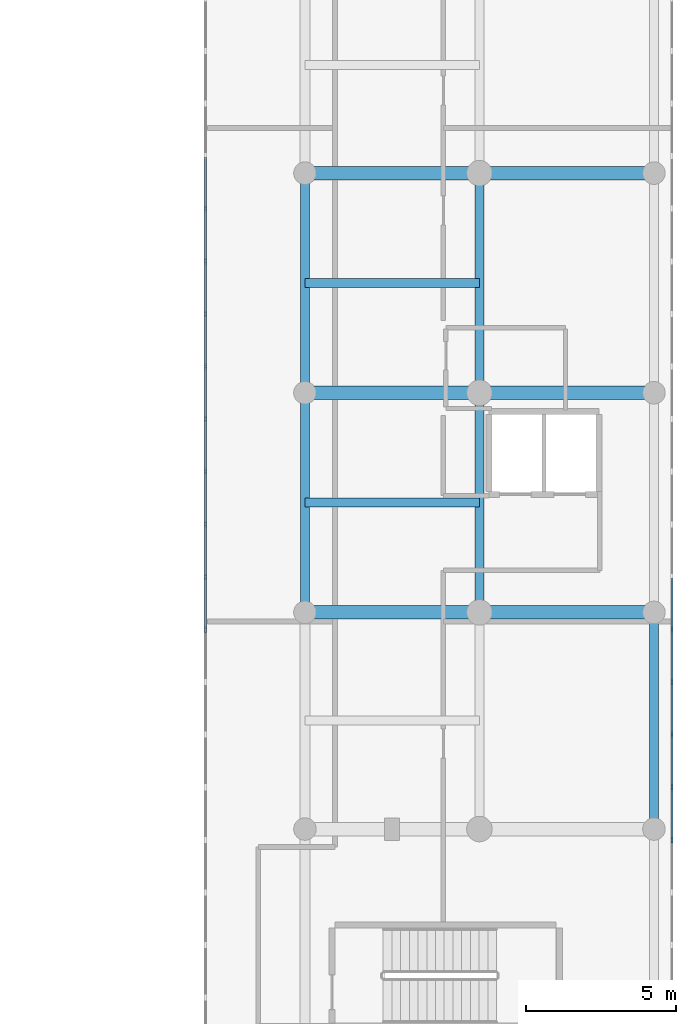
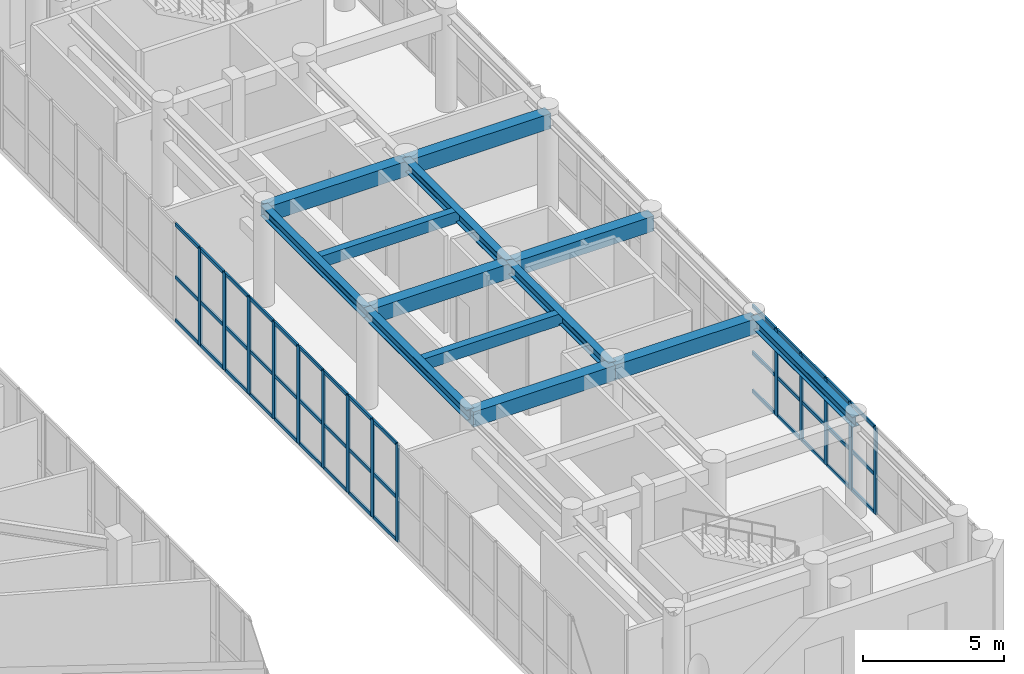
# One storey, part 7 of 26: 56 members, 13 beams, 2 elements without a shape of their own.
"""IFC4 building model written with IfcOpenShell, lengths in metres."""

from ifc_helpers import new_model, si_unit, direction, frame, origin, origin_with_axes, origin_2d, place, context, subcontext, project, spatial, rectangle, i_section, extrude, source, transform, mapped, material, layer, layer_set, material_profile, profile_set, type_object, element, aggregate, save


model = new_model("IFC4")

# Units and contexts
model_context = context("Model", 3, precision=1e-05, world=origin(), true_north=direction((0.0, 1.0)))
body_context = subcontext(model_context, "Body", "Model", "MODEL_VIEW")
ifc_project = project(units=[si_unit("LENGTHUNIT", "METRE"), si_unit("AREAUNIT", "SQUARE_METRE"), si_unit("VOLUMEUNIT", "CUBIC_METRE"), si_unit("PLANEANGLEUNIT", "RADIAN"), si_unit("MASSUNIT", "GRAM", prefix="KILO")], contexts=[model_context])

# Site, building, storey
site_placement = place(None, origin())
site = spatial("IfcSite", under=ifc_project, at=site_placement, CompositionType="ELEMENT")
building_placement = place(site_placement, origin())
building = spatial("IfcBuilding", under=site, at=building_placement, Name="Karkom Vertical University and Central Library", CompositionType="ELEMENT")
storey_placement = place(building_placement, frame((0.0, 0.0, 4.5)))
storey = spatial("IfcBuildingStorey", under=building, at=storey_placement, Name="L01", CompositionType="ELEMENT", Elevation=4.5)

# Beams
ifc_material_1 = material(Name="Concrete C40/50", Category="concrete")
ifc_material_profile_1 = material_profile(ifc_material_1, rectangle(XDim=0.449951171875, YDim=0.64990234375, at=origin_2d()), Name="RCB-450x650")
ifc_profile_set_1 = profile_set([ifc_material_profile_1], Name="Concrete C40/50")
beam_type_1 = type_object("IfcBeamType", Name="STR-BM-BG-4", PredefinedType="USERDEFINED", material=ifc_profile_set_1)
shared_shape_1 = source(origin_with_axes(), body_context, "Body", "SweptSolid", [
    extrude(rectangle(XDim=0.449951171875, YDim=0.64990234375, at=origin_2d()), origin(), (0.0, 0.0, 1.0), 5.7998046875),
])
for number, where, z_axis, x_axis, name in (
    (1, (69.60009765625, 19.199951171875, 3.875), (1.0, 0.0, 0.0), (0.0, 1.0, 0.0), "Level 01 Library Transverse Girder 3.1"),
    (2, (69.60009765625, 26.5, 3.875), (1.0, 0.0, 0.0), (0.0, 1.0, 0.0), "Level 01 Library Transverse Girder 4.1"),
    (3, (69.60009765625, 33.800048828125, 3.875), (1.0, 0.0, 0.0), (0.0, 1.0, 0.0), "Level 01 Library Transverse Girder 5.1"),
):
    element("IfcBeam", number, at=place(storey_placement, frame(where, z_axis=z_axis, x_axis=x_axis)), inside=storey, type_object=beam_type_1, Name=name, ObjectType="GIRDER", PredefinedType="USERDEFINED", context=body_context, shape_type="MappedRepresentation", body=[
        mapped(shared_shape_1, transform((0.0, 0.0, 0.0), scale=1.0)),
    ])
shared_shape_2 = source(origin_with_axes(), body_context, "Body", "SweptSolid", [
    extrude(rectangle(XDim=0.449951171875, YDim=0.64990234375, at=origin_2d()), origin(), (0.0, 0.0, 1.0), 5.800048828125),
])
for number, where, z_axis, x_axis, name in (
    (4, (75.39990234375, 19.199951171875, 3.875), (1.0, 0.0, 0.0), (0.0, 1.0, 0.0), "Level 01 Library Transverse Girder 3.2"),
    (5, (75.39990234375, 26.5, 3.875), (1.0, 0.0, 0.0), (0.0, 1.0, 0.0), "Level 01 Library Transverse Girder 4.2"),
    (6, (75.39990234375, 33.800048828125, 3.875), (1.0, 0.0, 0.0), (0.0, 1.0, 0.0), "Level 01 Library Transverse Girder 5.2"),
):
    element("IfcBeam", number, at=place(storey_placement, frame(where, z_axis=z_axis, x_axis=x_axis)), inside=storey, type_object=beam_type_1, Name=name, ObjectType="GIRDER", PredefinedType="USERDEFINED", context=body_context, shape_type="MappedRepresentation", body=[
        mapped(shared_shape_2, transform((0.0, 0.0, 0.0), scale=1.0)),
    ])
ifc_material_2 = material(Name="Steel S355", Category="steel")
ifc_material_profile_2 = material_profile(ifc_material_2, i_section(OverallWidth=0.300048828125, OverallDepth=0.449951171875, WebThickness=0.013916015625, FlangeThickness=0.02587890625, FilletRadius=0.027099609375, at=origin_2d()), Name="HE 450 B")
ifc_profile_set_2 = profile_set([ifc_material_profile_2], Name="Steel S355")
beam_type_2 = type_object("IfcBeamType", Name="STR-BM-SB-HE450", PredefinedType="BEAM", material=ifc_profile_set_2)
shared_shape_3 = source(origin_with_axes(), body_context, "Body", "SweptSolid", [
    extrude(i_section(OverallWidth=0.300048828125, OverallDepth=0.449951171875, WebThickness=0.013916015625, FlangeThickness=0.02587890625, FilletRadius=0.027099609375, at=origin_2d()), origin(), (0.0, 0.0, 1.0), 7.199951171875),
])
beam_placement = place(storey_placement, frame((81.199951171875, 12.0, 3.97509765625), z_axis=(0.0, 1.0, 0.0), x_axis=(-1.0, 0.0, 0.0)))
element("IfcBeam", 7, at=beam_placement, inside=storey, type_object=beam_type_2, Name="Level 01 Library Longitudinal Beam 3.2", PredefinedType="BEAM", context=body_context, shape_type="MappedRepresentation", body=[
    mapped(shared_shape_3, transform((0.0, 0.0, 0.0), scale=1.0)),
])
shared_shape_4 = source(origin_with_axes(), body_context, "Body", "SweptSolid", [
    extrude(i_section(OverallWidth=0.300048828125, OverallDepth=0.449951171875, WebThickness=0.013916015625, FlangeThickness=0.02587890625, FilletRadius=0.027099609375, at=origin_2d()), origin(), (0.0, 0.0, 1.0), 7.300048828125),
])
for number, where, z_axis, x_axis, name in (
    (8, (69.60009765625, 19.199951171875, 3.97509765625), (0.0, 1.0, 0.0), (-1.0, 0.0, 0.0), "Level 01 Library Longitudinal Beam 1.3"),
    (9, (69.60009765625, 26.5, 3.97509765625), (0.0, 1.0, 0.0), (-1.0, 0.0, 0.0), "Level 01 Library Longitudinal Beam 1.4"),
    (10, (75.39990234375, 19.199951171875, 3.97509765625), (0.0, 1.0, 0.0), (-1.0, 0.0, 0.0), "Level 01 Library Longitudinal Beam 2.3"),
    (11, (75.39990234375, 26.5, 3.97509765625), (0.0, 1.0, 0.0), (-1.0, 0.0, 0.0), "Level 01 Library Longitudinal Beam 2.4"),
):
    element("IfcBeam", number, at=place(storey_placement, frame(where, z_axis=z_axis, x_axis=x_axis)), inside=storey, type_object=beam_type_2, Name=name, PredefinedType="BEAM", context=body_context, shape_type="MappedRepresentation", body=[
        mapped(shared_shape_4, transform((0.0, 0.0, 0.0), scale=1.0)),
    ])
ifc_material_profile_3 = material_profile(ifc_material_1, rectangle(XDim=0.300048828125, YDim=0.5, at=origin_2d()), Name="RCJ-300x500")
ifc_profile_set_3 = profile_set([ifc_material_profile_3], Name="Concrete C40/50")
beam_type_3 = type_object("IfcBeamType", Name="STR-BM-JS-1", PredefinedType="JOIST", material=ifc_profile_set_3)
shared_shape_5 = source(origin_with_axes(), body_context, "Body", "SweptSolid", [
    extrude(rectangle(XDim=0.300048828125, YDim=0.5, at=origin_2d()), origin(), (0.0, 0.0, 1.0), 5.7998046875),
])
for number, where, z_axis, x_axis, name in (
    (12, (69.60009765625, 22.85009765625, 3.949951171875), (1.0, 0.0, 0.0), (0.0, 1.0, 0.0), "Level 01 Library Reading Coffered Joist 3"),
    (13, (69.60009765625, 30.14990234375, 3.949951171875), (1.0, 0.0, 0.0), (0.0, 1.0, 0.0), "Level 01 Library Reading Coffered Joist 4"),
):
    element("IfcBeam", number, at=place(storey_placement, frame(where, z_axis=z_axis, x_axis=x_axis)), inside=storey, type_object=beam_type_3, Name=name, PredefinedType="JOIST", context=body_context, shape_type="MappedRepresentation", body=[
        mapped(shared_shape_5, transform((0.0, 0.0, 0.0), scale=1.0)),
    ])

# Curtain wall, members
ifc_material_3 = material(Name="Aluminium curtain-wall framing and low-E IGU", Category="aluminium")
ifc_layer = layer(ifc_material_3, 0.199951171875)
ifc_layer_set = layer_set([ifc_layer], Name="Aluminium curtain-wall framing and low-E IGU")
curtain_wall_type = type_object("IfcCurtainWallType", Name="ENV-CW-1", PredefinedType="USERDEFINED", material=ifc_layer_set)
curtain_wall_1_placement = place(storey_placement, origin())
curtain_wall_1 = element("IfcCurtainWall", 14, at=curtain_wall_1_placement, inside=storey, type_object=curtain_wall_type, Name="Level 01 CW-1 Curtain Wall Level 01-CW-1-LIB-3", ObjectType="STICK MULLION GLAZING", PredefinedType="USERDEFINED")
ifc_material_4 = material(Name="Anodised Aluminium 6063-T6", Category="aluminium")
ifc_material_profile_4 = material_profile(ifc_material_4, rectangle(XDim=0.070068359375, YDim=0.199951171875, at=origin_2d()), Name="ALU-M70x200")
ifc_profile_set_4 = profile_set([ifc_material_profile_4], Name="Anodised Aluminium 6063-T6")
member_type_1 = type_object("IfcMemberType", Name="ENV-MEM-ALU-M70x200", PredefinedType="MULLION", material=ifc_profile_set_4)
shared_shape_6 = source(origin_with_axes(), body_context, "Body", "SweptSolid", [
    extrude(rectangle(XDim=0.070068359375, YDim=0.199951171875, at=origin_2d()), origin(), (0.0, 0.0, 1.0), 3.75),
])
member_1_placement = place(storey_placement, frame((81.800048828125, 11.640625, 0.0), z_axis=(0.0, 0.0, 1.0), x_axis=(-1.0, 0.0, 0.0)))
member_1 = element("IfcMember", 15, at=member_1_placement, type_object=member_type_1, Name="CW-1 mullion 6", PredefinedType="MULLION", context=body_context, shape_type="MappedRepresentation", body=[
    mapped(shared_shape_6, transform((0.0, 0.0, 0.0), scale=1.0)),
])
member_2_placement = place(storey_placement, frame((81.800048828125, 13.388916015625, 0.0), z_axis=(0.0, 0.0, 1.0), x_axis=(-1.0, 0.0, 0.0)))
member_2 = element("IfcMember", 16, at=member_2_placement, type_object=member_type_1, Name="CW-1 mullion 7", PredefinedType="MULLION", context=body_context, shape_type="MappedRepresentation", body=[
    mapped(shared_shape_6, transform((0.0, 0.0, 0.0), scale=1.0)),
])
member_3_placement = place(storey_placement, frame((81.800048828125, 15.136962890625, 0.0), z_axis=(0.0, 0.0, 1.0), x_axis=(-1.0, 0.0, 0.0)))
member_3 = element("IfcMember", 17, at=member_3_placement, type_object=member_type_1, Name="CW-1 mullion 8", PredefinedType="MULLION", context=body_context, shape_type="MappedRepresentation", body=[
    mapped(shared_shape_6, transform((0.0, 0.0, 0.0), scale=1.0)),
])
member_4_placement = place(storey_placement, frame((81.800048828125, 16.88525390625, 0.0), z_axis=(0.0, 0.0, 1.0), x_axis=(-1.0, 0.0, 0.0)))
member_4 = element("IfcMember", 18, at=member_4_placement, type_object=member_type_1, Name="CW-1 mullion 9", PredefinedType="MULLION", context=body_context, shape_type="MappedRepresentation", body=[
    mapped(shared_shape_6, transform((0.0, 0.0, 0.0), scale=1.0)),
])
member_5_placement = place(storey_placement, frame((81.800048828125, 18.63330078125, 0.0), z_axis=(0.0, 0.0, 1.0), x_axis=(-1.0, 0.0, 0.0)))
member_5 = element("IfcMember", 19, at=member_5_placement, type_object=member_type_1, Name="CW-1 mullion 10", PredefinedType="MULLION", context=body_context, shape_type="MappedRepresentation", body=[
    mapped(shared_shape_6, transform((0.0, 0.0, 0.0), scale=1.0)),
])

curtain_wall_2_placement = place(storey_placement, origin())
curtain_wall_2 = element("IfcCurtainWall", 20, at=curtain_wall_2_placement, inside=storey, type_object=curtain_wall_type, Name="Level 01 CW-1 Curtain Wall Level 01-CW-1-LIB-7", ObjectType="STICK MULLION GLAZING", PredefinedType="USERDEFINED")
shared_shape_7 = source(origin_with_axes(), body_context, "Body", "SweptSolid", [
    extrude(rectangle(XDim=0.070068359375, YDim=0.199951171875, at=origin_2d()), origin(), (0.0, 0.0, 1.0), 4.199951171875),
])
member_6_placement = place(storey_placement, frame((66.300048828125, 32.618408203125, 0.0), z_axis=(0.0, 0.0, 1.0), x_axis=(1.0, 0.0, 0.0)))
member_6 = element("IfcMember", 21, at=member_6_placement, type_object=member_type_1, Name="CW-1 mullion 11", PredefinedType="MULLION", context=body_context, shape_type="MappedRepresentation", body=[
    mapped(shared_shape_7, transform((0.0, 0.0, 0.0), scale=1.0)),
])
member_7_placement = place(storey_placement, frame((66.300048828125, 30.870361328125, 0.0), z_axis=(0.0, 0.0, 1.0), x_axis=(1.0, 0.0, 0.0)))
member_7 = element("IfcMember", 22, at=member_7_placement, type_object=member_type_1, Name="CW-1 mullion 12", PredefinedType="MULLION", context=body_context, shape_type="MappedRepresentation", body=[
    mapped(shared_shape_7, transform((0.0, 0.0, 0.0), scale=1.0)),
])
member_8_placement = place(storey_placement, frame((66.300048828125, 29.122314453125, 0.0), z_axis=(0.0, 0.0, 1.0), x_axis=(1.0, 0.0, 0.0)))
member_8 = element("IfcMember", 23, at=member_8_placement, type_object=member_type_1, Name="CW-1 mullion 13", PredefinedType="MULLION", context=body_context, shape_type="MappedRepresentation", body=[
    mapped(shared_shape_7, transform((0.0, 0.0, 0.0), scale=1.0)),
])
member_9_placement = place(storey_placement, frame((66.300048828125, 27.3740234375, 0.0), z_axis=(0.0, 0.0, 1.0), x_axis=(1.0, 0.0, 0.0)))
member_9 = element("IfcMember", 24, at=member_9_placement, type_object=member_type_1, Name="CW-1 mullion 14", PredefinedType="MULLION", context=body_context, shape_type="MappedRepresentation", body=[
    mapped(shared_shape_7, transform((0.0, 0.0, 0.0), scale=1.0)),
])
member_10_placement = place(storey_placement, frame((66.300048828125, 25.6259765625, 0.0), z_axis=(0.0, 0.0, 1.0), x_axis=(1.0, 0.0, 0.0)))
member_10 = element("IfcMember", 25, at=member_10_placement, type_object=member_type_1, Name="CW-1 mullion 15", PredefinedType="MULLION", context=body_context, shape_type="MappedRepresentation", body=[
    mapped(shared_shape_7, transform((0.0, 0.0, 0.0), scale=1.0)),
])
member_11_placement = place(storey_placement, frame((66.300048828125, 23.877685546875, 0.0), z_axis=(0.0, 0.0, 1.0), x_axis=(1.0, 0.0, 0.0)))
member_11 = element("IfcMember", 26, at=member_11_placement, type_object=member_type_1, Name="CW-1 mullion 16", PredefinedType="MULLION", context=body_context, shape_type="MappedRepresentation", body=[
    mapped(shared_shape_7, transform((0.0, 0.0, 0.0), scale=1.0)),
])
member_12_placement = place(storey_placement, frame((66.300048828125, 22.129638671875, 0.0), z_axis=(0.0, 0.0, 1.0), x_axis=(1.0, 0.0, 0.0)))
member_12 = element("IfcMember", 27, at=member_12_placement, type_object=member_type_1, Name="CW-1 mullion 17", PredefinedType="MULLION", context=body_context, shape_type="MappedRepresentation", body=[
    mapped(shared_shape_7, transform((0.0, 0.0, 0.0), scale=1.0)),
])
member_13_placement = place(storey_placement, frame((66.300048828125, 20.381591796875, 0.0), z_axis=(0.0, 0.0, 1.0), x_axis=(1.0, 0.0, 0.0)))
member_13 = element("IfcMember", 28, at=member_13_placement, type_object=member_type_1, Name="CW-1 mullion 18", PredefinedType="MULLION", context=body_context, shape_type="MappedRepresentation", body=[
    mapped(shared_shape_7, transform((0.0, 0.0, 0.0), scale=1.0)),
])
member_14_placement = place(storey_placement, frame((66.300048828125, 18.63330078125, 0.0), z_axis=(0.0, 0.0, 1.0), x_axis=(1.0, 0.0, 0.0)))
member_14 = element("IfcMember", 29, at=member_14_placement, type_object=member_type_1, Name="CW-1 mullion 19", PredefinedType="MULLION", context=body_context, shape_type="MappedRepresentation", body=[
    mapped(shared_shape_7, transform((0.0, 0.0, 0.0), scale=1.0)),
])

# Member
ifc_material_profile_5 = material_profile(ifc_material_4, rectangle(XDim=0.070068359375, YDim=0.14990234375, at=origin_2d()), Name="ALU-T70x150")
ifc_profile_set_5 = profile_set([ifc_material_profile_5], Name="Anodised Aluminium 6063-T6")
member_type_2 = type_object("IfcMemberType", Name="ENV-MEM-ALU-T70x150", PredefinedType="USERDEFINED", material=ifc_profile_set_5)
shared_shape_8 = source(origin_with_axes(), body_context, "Body", "SweptSolid", [
    extrude(rectangle(XDim=0.070068359375, YDim=0.14990234375, at=origin_2d()), origin(), (0.0, 0.0, 1.0), 1.67822265625),
])
member_15_placement = place(storey_placement, frame((81.800048828125, 11.67578125, 0.034912109375), z_axis=(0.0, 1.0, 0.0), x_axis=(-1.0, 0.0, 0.0)))
member_15 = element("IfcMember", 30, at=member_15_placement, type_object=member_type_2, Name="CW-1 transom 6.1", ObjectType="TRANSOM", PredefinedType="USERDEFINED", context=body_context, shape_type="MappedRepresentation", body=[
    mapped(shared_shape_8, transform((0.0, 0.0, 0.0), scale=1.0)),
])

member_16_placement = place(storey_placement, frame((81.800048828125, 11.67578125, 1.6875), z_axis=(0.0, 1.0, 0.0), x_axis=(-1.0, 0.0, 0.0)))
member_16 = element("IfcMember", 31, at=member_16_placement, type_object=member_type_2, Name="CW-1 transom 6.2", ObjectType="TRANSOM", PredefinedType="USERDEFINED", context=body_context, shape_type="MappedRepresentation", body=[
    mapped(shared_shape_8, transform((0.0, 0.0, 0.0), scale=1.0)),
])

member_17_placement = place(storey_placement, frame((81.800048828125, 11.67578125, 3.715087890625), z_axis=(0.0, 1.0, 0.0), x_axis=(-1.0, 0.0, 0.0)))
member_17 = element("IfcMember", 32, at=member_17_placement, type_object=member_type_2, Name="CW-1 transom 6.3", ObjectType="TRANSOM", PredefinedType="USERDEFINED", context=body_context, shape_type="MappedRepresentation", body=[
    mapped(shared_shape_8, transform((0.0, 0.0, 0.0), scale=1.0)),
])

member_18_placement = place(storey_placement, frame((81.800048828125, 13.423828125, 0.034912109375), z_axis=(0.0, 1.0, 0.0), x_axis=(-1.0, 0.0, 0.0)))
member_18 = element("IfcMember", 33, at=member_18_placement, type_object=member_type_2, Name="CW-1 transom 7.1", ObjectType="TRANSOM", PredefinedType="USERDEFINED", context=body_context, shape_type="MappedRepresentation", body=[
    mapped(shared_shape_8, transform((0.0, 0.0, 0.0), scale=1.0)),
])

member_19_placement = place(storey_placement, frame((81.800048828125, 13.423828125, 1.6875), z_axis=(0.0, 1.0, 0.0), x_axis=(-1.0, 0.0, 0.0)))
member_19 = element("IfcMember", 34, at=member_19_placement, type_object=member_type_2, Name="CW-1 transom 7.2", ObjectType="TRANSOM", PredefinedType="USERDEFINED", context=body_context, shape_type="MappedRepresentation", body=[
    mapped(shared_shape_8, transform((0.0, 0.0, 0.0), scale=1.0)),
])

member_20_placement = place(storey_placement, frame((81.800048828125, 13.423828125, 3.715087890625), z_axis=(0.0, 1.0, 0.0), x_axis=(-1.0, 0.0, 0.0)))
member_20 = element("IfcMember", 35, at=member_20_placement, type_object=member_type_2, Name="CW-1 transom 7.3", ObjectType="TRANSOM", PredefinedType="USERDEFINED", context=body_context, shape_type="MappedRepresentation", body=[
    mapped(shared_shape_8, transform((0.0, 0.0, 0.0), scale=1.0)),
])

member_21_placement = place(storey_placement, frame((81.800048828125, 16.920166015625, 0.034912109375), z_axis=(0.0, 1.0, 0.0), x_axis=(-1.0, 0.0, 0.0)))
member_21 = element("IfcMember", 36, at=member_21_placement, type_object=member_type_2, Name="CW-1 transom 9.1", ObjectType="TRANSOM", PredefinedType="USERDEFINED", context=body_context, shape_type="MappedRepresentation", body=[
    mapped(shared_shape_8, transform((0.0, 0.0, 0.0), scale=1.0)),
])

member_22_placement = place(storey_placement, frame((81.800048828125, 16.920166015625, 1.6875), z_axis=(0.0, 1.0, 0.0), x_axis=(-1.0, 0.0, 0.0)))
member_22 = element("IfcMember", 37, at=member_22_placement, type_object=member_type_2, Name="CW-1 transom 9.2", ObjectType="TRANSOM", PredefinedType="USERDEFINED", context=body_context, shape_type="MappedRepresentation", body=[
    mapped(shared_shape_8, transform((0.0, 0.0, 0.0), scale=1.0)),
])

member_23_placement = place(storey_placement, frame((81.800048828125, 16.920166015625, 3.715087890625), z_axis=(0.0, 1.0, 0.0), x_axis=(-1.0, 0.0, 0.0)))
member_23 = element("IfcMember", 38, at=member_23_placement, type_object=member_type_2, Name="CW-1 transom 9.3", ObjectType="TRANSOM", PredefinedType="USERDEFINED", context=body_context, shape_type="MappedRepresentation", body=[
    mapped(shared_shape_8, transform((0.0, 0.0, 0.0), scale=1.0)),
])

member_24_placement = place(storey_placement, frame((81.800048828125, 18.668212890625, 0.034912109375), z_axis=(0.0, 1.0, 0.0), x_axis=(-1.0, 0.0, 0.0)))
member_24 = element("IfcMember", 39, at=member_24_placement, type_object=member_type_2, Name="CW-1 transom 10.1", ObjectType="TRANSOM", PredefinedType="USERDEFINED", context=body_context, shape_type="MappedRepresentation", body=[
    mapped(shared_shape_8, transform((0.0, 0.0, 0.0), scale=1.0)),
])

member_25_placement = place(storey_placement, frame((81.800048828125, 18.668212890625, 1.6875), z_axis=(0.0, 1.0, 0.0), x_axis=(-1.0, 0.0, 0.0)))
member_25 = element("IfcMember", 40, at=member_25_placement, type_object=member_type_2, Name="CW-1 transom 10.2", ObjectType="TRANSOM", PredefinedType="USERDEFINED", context=body_context, shape_type="MappedRepresentation", body=[
    mapped(shared_shape_8, transform((0.0, 0.0, 0.0), scale=1.0)),
])

member_26_placement = place(storey_placement, frame((81.800048828125, 18.668212890625, 3.715087890625), z_axis=(0.0, 1.0, 0.0), x_axis=(-1.0, 0.0, 0.0)))
member_26 = element("IfcMember", 41, at=member_26_placement, type_object=member_type_2, Name="CW-1 transom 10.3", ObjectType="TRANSOM", PredefinedType="USERDEFINED", context=body_context, shape_type="MappedRepresentation", body=[
    mapped(shared_shape_8, transform((0.0, 0.0, 0.0), scale=1.0)),
])

member_27_placement = place(storey_placement, frame((66.300048828125, 34.331787109375, 0.034912109375), z_axis=(0.0, -1.0, 0.0), x_axis=(1.0, 0.0, 0.0)))
member_27 = element("IfcMember", 42, at=member_27_placement, type_object=member_type_2, Name="CW-1 transom 10.1", ObjectType="TRANSOM", PredefinedType="USERDEFINED", context=body_context, shape_type="MappedRepresentation", body=[
    mapped(shared_shape_8, transform((0.0, 0.0, 0.0), scale=1.0)),
])

member_28_placement = place(storey_placement, frame((66.300048828125, 34.331787109375, 1.889892578125), z_axis=(0.0, -1.0, 0.0), x_axis=(1.0, 0.0, 0.0)))
member_28 = element("IfcMember", 43, at=member_28_placement, type_object=member_type_2, Name="CW-1 transom 10.2", ObjectType="TRANSOM", PredefinedType="USERDEFINED", context=body_context, shape_type="MappedRepresentation", body=[
    mapped(shared_shape_8, transform((0.0, 0.0, 0.0), scale=1.0)),
])

member_29_placement = place(storey_placement, frame((66.300048828125, 34.331787109375, 4.1650390625), z_axis=(0.0, -1.0, 0.0), x_axis=(1.0, 0.0, 0.0)))
member_29 = element("IfcMember", 44, at=member_29_placement, type_object=member_type_2, Name="CW-1 transom 10.3", ObjectType="TRANSOM", PredefinedType="USERDEFINED", context=body_context, shape_type="MappedRepresentation", body=[
    mapped(shared_shape_8, transform((0.0, 0.0, 0.0), scale=1.0)),
])

member_30_placement = place(storey_placement, frame((66.300048828125, 32.58349609375, 0.034912109375), z_axis=(0.0, -1.0, 0.0), x_axis=(1.0, 0.0, 0.0)))
member_30 = element("IfcMember", 45, at=member_30_placement, type_object=member_type_2, Name="CW-1 transom 11.1", ObjectType="TRANSOM", PredefinedType="USERDEFINED", context=body_context, shape_type="MappedRepresentation", body=[
    mapped(shared_shape_8, transform((0.0, 0.0, 0.0), scale=1.0)),
])

member_31_placement = place(storey_placement, frame((66.300048828125, 32.58349609375, 1.889892578125), z_axis=(0.0, -1.0, 0.0), x_axis=(1.0, 0.0, 0.0)))
member_31 = element("IfcMember", 46, at=member_31_placement, type_object=member_type_2, Name="CW-1 transom 11.2", ObjectType="TRANSOM", PredefinedType="USERDEFINED", context=body_context, shape_type="MappedRepresentation", body=[
    mapped(shared_shape_8, transform((0.0, 0.0, 0.0), scale=1.0)),
])

member_32_placement = place(storey_placement, frame((66.300048828125, 32.58349609375, 4.1650390625), z_axis=(0.0, -1.0, 0.0), x_axis=(1.0, 0.0, 0.0)))
member_32 = element("IfcMember", 47, at=member_32_placement, type_object=member_type_2, Name="CW-1 transom 11.3", ObjectType="TRANSOM", PredefinedType="USERDEFINED", context=body_context, shape_type="MappedRepresentation", body=[
    mapped(shared_shape_8, transform((0.0, 0.0, 0.0), scale=1.0)),
])

member_33_placement = place(storey_placement, frame((66.300048828125, 30.83544921875, 0.034912109375), z_axis=(0.0, -1.0, 0.0), x_axis=(1.0, 0.0, 0.0)))
member_33 = element("IfcMember", 48, at=member_33_placement, type_object=member_type_2, Name="CW-1 transom 12.1", ObjectType="TRANSOM", PredefinedType="USERDEFINED", context=body_context, shape_type="MappedRepresentation", body=[
    mapped(shared_shape_8, transform((0.0, 0.0, 0.0), scale=1.0)),
])

member_34_placement = place(storey_placement, frame((66.300048828125, 30.83544921875, 1.889892578125), z_axis=(0.0, -1.0, 0.0), x_axis=(1.0, 0.0, 0.0)))
member_34 = element("IfcMember", 49, at=member_34_placement, type_object=member_type_2, Name="CW-1 transom 12.2", ObjectType="TRANSOM", PredefinedType="USERDEFINED", context=body_context, shape_type="MappedRepresentation", body=[
    mapped(shared_shape_8, transform((0.0, 0.0, 0.0), scale=1.0)),
])

member_35_placement = place(storey_placement, frame((66.300048828125, 30.83544921875, 4.1650390625), z_axis=(0.0, -1.0, 0.0), x_axis=(1.0, 0.0, 0.0)))
member_35 = element("IfcMember", 50, at=member_35_placement, type_object=member_type_2, Name="CW-1 transom 12.3", ObjectType="TRANSOM", PredefinedType="USERDEFINED", context=body_context, shape_type="MappedRepresentation", body=[
    mapped(shared_shape_8, transform((0.0, 0.0, 0.0), scale=1.0)),
])

member_36_placement = place(storey_placement, frame((66.300048828125, 27.339111328125, 0.034912109375), z_axis=(0.0, -1.0, 0.0), x_axis=(1.0, 0.0, 0.0)))
member_36 = element("IfcMember", 51, at=member_36_placement, type_object=member_type_2, Name="CW-1 transom 14.1", ObjectType="TRANSOM", PredefinedType="USERDEFINED", context=body_context, shape_type="MappedRepresentation", body=[
    mapped(shared_shape_8, transform((0.0, 0.0, 0.0), scale=1.0)),
])

member_37_placement = place(storey_placement, frame((66.300048828125, 27.339111328125, 1.889892578125), z_axis=(0.0, -1.0, 0.0), x_axis=(1.0, 0.0, 0.0)))
member_37 = element("IfcMember", 52, at=member_37_placement, type_object=member_type_2, Name="CW-1 transom 14.2", ObjectType="TRANSOM", PredefinedType="USERDEFINED", context=body_context, shape_type="MappedRepresentation", body=[
    mapped(shared_shape_8, transform((0.0, 0.0, 0.0), scale=1.0)),
])

member_38_placement = place(storey_placement, frame((66.300048828125, 27.339111328125, 4.1650390625), z_axis=(0.0, -1.0, 0.0), x_axis=(1.0, 0.0, 0.0)))
member_38 = element("IfcMember", 53, at=member_38_placement, type_object=member_type_2, Name="CW-1 transom 14.3", ObjectType="TRANSOM", PredefinedType="USERDEFINED", context=body_context, shape_type="MappedRepresentation", body=[
    mapped(shared_shape_8, transform((0.0, 0.0, 0.0), scale=1.0)),
])

member_39_placement = place(storey_placement, frame((66.300048828125, 23.8427734375, 0.034912109375), z_axis=(0.0, -1.0, 0.0), x_axis=(1.0, 0.0, 0.0)))
member_39 = element("IfcMember", 54, at=member_39_placement, type_object=member_type_2, Name="CW-1 transom 16.1", ObjectType="TRANSOM", PredefinedType="USERDEFINED", context=body_context, shape_type="MappedRepresentation", body=[
    mapped(shared_shape_8, transform((0.0, 0.0, 0.0), scale=1.0)),
])

member_40_placement = place(storey_placement, frame((66.300048828125, 23.8427734375, 1.889892578125), z_axis=(0.0, -1.0, 0.0), x_axis=(1.0, 0.0, 0.0)))
member_40 = element("IfcMember", 55, at=member_40_placement, type_object=member_type_2, Name="CW-1 transom 16.2", ObjectType="TRANSOM", PredefinedType="USERDEFINED", context=body_context, shape_type="MappedRepresentation", body=[
    mapped(shared_shape_8, transform((0.0, 0.0, 0.0), scale=1.0)),
])

member_41_placement = place(storey_placement, frame((66.300048828125, 23.8427734375, 4.1650390625), z_axis=(0.0, -1.0, 0.0), x_axis=(1.0, 0.0, 0.0)))
member_41 = element("IfcMember", 56, at=member_41_placement, type_object=member_type_2, Name="CW-1 transom 16.3", ObjectType="TRANSOM", PredefinedType="USERDEFINED", context=body_context, shape_type="MappedRepresentation", body=[
    mapped(shared_shape_8, transform((0.0, 0.0, 0.0), scale=1.0)),
])

member_42_placement = place(storey_placement, frame((66.300048828125, 22.0947265625, 0.034912109375), z_axis=(0.0, -1.0, 0.0), x_axis=(1.0, 0.0, 0.0)))
member_42 = element("IfcMember", 57, at=member_42_placement, type_object=member_type_2, Name="CW-1 transom 17.1", ObjectType="TRANSOM", PredefinedType="USERDEFINED", context=body_context, shape_type="MappedRepresentation", body=[
    mapped(shared_shape_8, transform((0.0, 0.0, 0.0), scale=1.0)),
])

member_43_placement = place(storey_placement, frame((66.300048828125, 22.0947265625, 1.889892578125), z_axis=(0.0, -1.0, 0.0), x_axis=(1.0, 0.0, 0.0)))
member_43 = element("IfcMember", 58, at=member_43_placement, type_object=member_type_2, Name="CW-1 transom 17.2", ObjectType="TRANSOM", PredefinedType="USERDEFINED", context=body_context, shape_type="MappedRepresentation", body=[
    mapped(shared_shape_8, transform((0.0, 0.0, 0.0), scale=1.0)),
])

member_44_placement = place(storey_placement, frame((66.300048828125, 22.0947265625, 4.1650390625), z_axis=(0.0, -1.0, 0.0), x_axis=(1.0, 0.0, 0.0)))
member_44 = element("IfcMember", 59, at=member_44_placement, type_object=member_type_2, Name="CW-1 transom 17.3", ObjectType="TRANSOM", PredefinedType="USERDEFINED", context=body_context, shape_type="MappedRepresentation", body=[
    mapped(shared_shape_8, transform((0.0, 0.0, 0.0), scale=1.0)),
])

member_45_placement = place(storey_placement, frame((66.300048828125, 20.346435546875, 0.034912109375), z_axis=(0.0, -1.0, 0.0), x_axis=(1.0, 0.0, 0.0)))
member_45 = element("IfcMember", 60, at=member_45_placement, type_object=member_type_2, Name="CW-1 transom 18.1", ObjectType="TRANSOM", PredefinedType="USERDEFINED", context=body_context, shape_type="MappedRepresentation", body=[
    mapped(shared_shape_8, transform((0.0, 0.0, 0.0), scale=1.0)),
])

member_46_placement = place(storey_placement, frame((66.300048828125, 20.346435546875, 1.889892578125), z_axis=(0.0, -1.0, 0.0), x_axis=(1.0, 0.0, 0.0)))
member_46 = element("IfcMember", 61, at=member_46_placement, type_object=member_type_2, Name="CW-1 transom 18.2", ObjectType="TRANSOM", PredefinedType="USERDEFINED", context=body_context, shape_type="MappedRepresentation", body=[
    mapped(shared_shape_8, transform((0.0, 0.0, 0.0), scale=1.0)),
])

member_47_placement = place(storey_placement, frame((66.300048828125, 20.346435546875, 4.1650390625), z_axis=(0.0, -1.0, 0.0), x_axis=(1.0, 0.0, 0.0)))
member_47 = element("IfcMember", 62, at=member_47_placement, type_object=member_type_2, Name="CW-1 transom 18.3", ObjectType="TRANSOM", PredefinedType="USERDEFINED", context=body_context, shape_type="MappedRepresentation", body=[
    mapped(shared_shape_8, transform((0.0, 0.0, 0.0), scale=1.0)),
])

shared_shape_9 = source(origin_with_axes(), body_context, "Body", "SweptSolid", [
    extrude(rectangle(XDim=0.070068359375, YDim=0.14990234375, at=origin_2d()), origin(), (0.0, 0.0, 1.0), 1.677978515625),
])
member_48_placement = place(storey_placement, frame((81.800048828125, 15.172119140625, 0.034912109375), z_axis=(0.0, 1.0, 0.0), x_axis=(-1.0, 0.0, 0.0)))
member_48 = element("IfcMember", 63, at=member_48_placement, type_object=member_type_2, Name="CW-1 transom 8.1", ObjectType="TRANSOM", PredefinedType="USERDEFINED", context=body_context, shape_type="MappedRepresentation", body=[
    mapped(shared_shape_9, transform((0.0, 0.0, 0.0), scale=1.0)),
])

member_49_placement = place(storey_placement, frame((81.800048828125, 15.172119140625, 1.6875), z_axis=(0.0, 1.0, 0.0), x_axis=(-1.0, 0.0, 0.0)))
member_49 = element("IfcMember", 64, at=member_49_placement, type_object=member_type_2, Name="CW-1 transom 8.2", ObjectType="TRANSOM", PredefinedType="USERDEFINED", context=body_context, shape_type="MappedRepresentation", body=[
    mapped(shared_shape_9, transform((0.0, 0.0, 0.0), scale=1.0)),
])

member_50_placement = place(storey_placement, frame((81.800048828125, 15.172119140625, 3.715087890625), z_axis=(0.0, 1.0, 0.0), x_axis=(-1.0, 0.0, 0.0)))
member_50 = element("IfcMember", 65, at=member_50_placement, type_object=member_type_2, Name="CW-1 transom 8.3", ObjectType="TRANSOM", PredefinedType="USERDEFINED", context=body_context, shape_type="MappedRepresentation", body=[
    mapped(shared_shape_9, transform((0.0, 0.0, 0.0), scale=1.0)),
])

aggregate(curtain_wall_1, [member_1, member_2, member_3, member_4, member_5, member_15, member_16, member_17, member_18, member_19, member_20, member_48, member_49, member_50, member_21, member_22, member_23, member_24, member_25, member_26])

member_51_placement = place(storey_placement, frame((66.300048828125, 29.087158203125, 0.034912109375), z_axis=(0.0, -1.0, 0.0), x_axis=(1.0, 0.0, 0.0)))
member_51 = element("IfcMember", 66, at=member_51_placement, type_object=member_type_2, Name="CW-1 transom 13.1", ObjectType="TRANSOM", PredefinedType="USERDEFINED", context=body_context, shape_type="MappedRepresentation", body=[
    mapped(shared_shape_9, transform((0.0, 0.0, 0.0), scale=1.0)),
])

member_52_placement = place(storey_placement, frame((66.300048828125, 29.087158203125, 1.889892578125), z_axis=(0.0, -1.0, 0.0), x_axis=(1.0, 0.0, 0.0)))
member_52 = element("IfcMember", 67, at=member_52_placement, type_object=member_type_2, Name="CW-1 transom 13.2", ObjectType="TRANSOM", PredefinedType="USERDEFINED", context=body_context, shape_type="MappedRepresentation", body=[
    mapped(shared_shape_9, transform((0.0, 0.0, 0.0), scale=1.0)),
])

member_53_placement = place(storey_placement, frame((66.300048828125, 29.087158203125, 4.1650390625), z_axis=(0.0, -1.0, 0.0), x_axis=(1.0, 0.0, 0.0)))
member_53 = element("IfcMember", 68, at=member_53_placement, type_object=member_type_2, Name="CW-1 transom 13.3", ObjectType="TRANSOM", PredefinedType="USERDEFINED", context=body_context, shape_type="MappedRepresentation", body=[
    mapped(shared_shape_9, transform((0.0, 0.0, 0.0), scale=1.0)),
])

member_54_placement = place(storey_placement, frame((66.300048828125, 25.5908203125, 0.034912109375), z_axis=(0.0, -1.0, 0.0), x_axis=(1.0, 0.0, 0.0)))
member_54 = element("IfcMember", 69, at=member_54_placement, type_object=member_type_2, Name="CW-1 transom 15.1", ObjectType="TRANSOM", PredefinedType="USERDEFINED", context=body_context, shape_type="MappedRepresentation", body=[
    mapped(shared_shape_9, transform((0.0, 0.0, 0.0), scale=1.0)),
])

member_55_placement = place(storey_placement, frame((66.300048828125, 25.5908203125, 1.889892578125), z_axis=(0.0, -1.0, 0.0), x_axis=(1.0, 0.0, 0.0)))
member_55 = element("IfcMember", 70, at=member_55_placement, type_object=member_type_2, Name="CW-1 transom 15.2", ObjectType="TRANSOM", PredefinedType="USERDEFINED", context=body_context, shape_type="MappedRepresentation", body=[
    mapped(shared_shape_9, transform((0.0, 0.0, 0.0), scale=1.0)),
])

member_56_placement = place(storey_placement, frame((66.300048828125, 25.5908203125, 4.1650390625), z_axis=(0.0, -1.0, 0.0), x_axis=(1.0, 0.0, 0.0)))
member_56 = element("IfcMember", 71, at=member_56_placement, type_object=member_type_2, Name="CW-1 transom 15.3", ObjectType="TRANSOM", PredefinedType="USERDEFINED", context=body_context, shape_type="MappedRepresentation", body=[
    mapped(shared_shape_9, transform((0.0, 0.0, 0.0), scale=1.0)),
])

aggregate(curtain_wall_2, [member_6, member_7, member_8, member_9, member_10, member_11, member_12, member_13, member_14, member_27, member_28, member_29, member_30, member_31, member_32, member_33, member_34, member_35, member_51, member_52, member_53, member_36, member_37, member_38, member_54, member_55, member_56, member_39, member_40, member_41, member_42, member_43, member_44, member_45, member_46, member_47])

save(model, "model.ifc")
